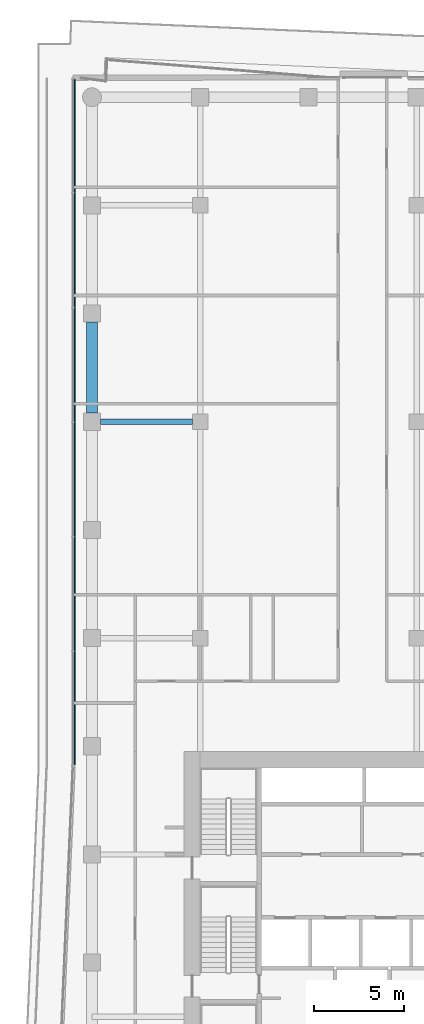
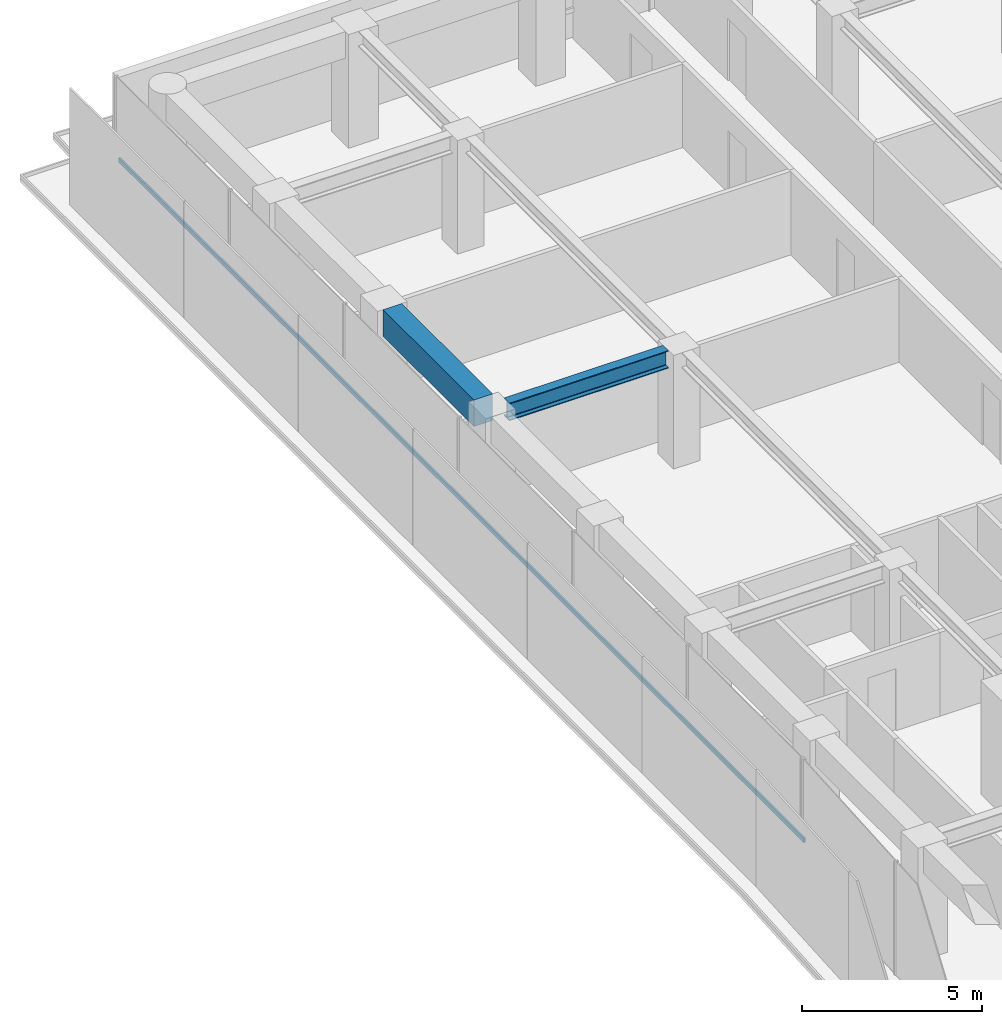
# One storey, part 15 of 29: 2 beams, 1 member, 1 element without a shape of its own.
"""IFC4 building model written with IfcOpenShell, lengths in metres."""

from ifc_helpers import new_model, si_unit, direction, frame, origin, origin_2d, place, context, subcontext, project, spatial, rectangle, i_section, extrude, material, layer, layer_set, material_profile, profile_set, type_object, element, aggregate, save


model = new_model("IFC4")

# Units and contexts
model_context = context("Model", 3, precision=1e-05, world=origin(), true_north=direction((0.0, 1.0)))
body_context = subcontext(model_context, "Body", "Model", "MODEL_VIEW")
ifc_project = project(units=[si_unit("LENGTHUNIT", "METRE"), si_unit("AREAUNIT", "SQUARE_METRE"), si_unit("VOLUMEUNIT", "CUBIC_METRE"), si_unit("PLANEANGLEUNIT", "RADIAN"), si_unit("MASSUNIT", "GRAM", prefix="KILO")], contexts=[model_context])

# Site, building, storey
site_placement = place(None, origin())
site = spatial("IfcSite", under=ifc_project, at=site_placement, CompositionType="ELEMENT")
building_placement = place(site_placement, origin())
building = spatial("IfcBuilding", under=site, at=building_placement, Name="Welwitschia Terrace Campus", CompositionType="ELEMENT")
storey_placement = place(building_placement, frame((0.0, 0.0, 41.60009765625)))
storey = spatial("IfcBuildingStorey", under=building, at=storey_placement, Name="L09", CompositionType="ELEMENT", Elevation=41.60009765625)

# Beams
ifc_material_1 = material(Name="Steel S355", Category="steel")
ifc_material_profile_1 = material_profile(ifc_material_1, i_section(OverallWidth=0.300048828125, OverallDepth=0.60009765625, WebThickness=0.015380859375, FlangeThickness=0.030029296875, FilletRadius=0.027099609375, at=origin_2d()))
ifc_profile_set_1 = profile_set([ifc_material_profile_1], Name="Steel S355")
beam_type_1 = type_object("IfcBeamType", Name="Primary beam HE 600 B", PredefinedType="BEAM", material=ifc_profile_set_1)
beam_1_placement = place(storey_placement, frame((0.4755859375, 44.0, 3.5498046875), z_axis=(1.0, 0.0, 0.0), x_axis=(0.0, 1.0, 0.0)))
element("IfcBeam", 1, at=beam_1_placement, inside=storey, type_object=beam_type_1, Name="Primary beam PB2", PredefinedType="BEAM", context=body_context, shape_type="SweptSolid", body=[
    extrude(i_section(OverallWidth=0.300048828125, OverallDepth=0.60009765625, WebThickness=0.015380859375, FlangeThickness=0.030029296875, FilletRadius=0.027099609375, at=origin_2d()), origin(), (0.0, 0.0, 1.0), 5.098876953125),
])
ifc_material_2 = material(Name="Concrete C60/75", Category="concrete")
ifc_material_profile_2 = material_profile(ifc_material_2, rectangle(XDim=0.60009765625, YDim=0.89990234375, at=origin_2d()))
ifc_profile_set_2 = profile_set([ifc_material_profile_2], Name="Concrete C60/75")
beam_type_2 = type_object("IfcBeamType", Name="Ring spandrel 600x900", PredefinedType="SPANDREL", material=ifc_profile_set_2)
beam_2_placement = place(storey_placement, frame((0.0, 49.5244140625, 3.39990234375), z_axis=(0.0, -1.0, 0.0), x_axis=(1.0, 0.0, 0.0)))
element("IfcBeam", 2, at=beam_2_placement, inside=storey, type_object=beam_type_2, Name="Spandrel SP2", PredefinedType="SPANDREL", context=body_context, shape_type="SweptSolid", body=[
    extrude(rectangle(XDim=0.60009765625, YDim=0.89990234375, at=origin_2d()), origin(), (0.0, 0.0, 1.0), 5.048828125),
])

# Curtain wall, member
ifc_material_3 = material(Name="Bronze anodised aluminium", Category="aluminium")
ifc_layer = layer(ifc_material_3, 0.1201171875)
ifc_layer_set = layer_set([ifc_layer], Name="Bronze anodised aluminium")
curtain_wall_type = type_object("IfcCurtainWallType", Name="Curtain wall CW2 tower 6000", PredefinedType="NOTDEFINED", material=ifc_layer_set)
curtain_wall_placement = place(storey_placement, origin())
curtain_wall = element("IfcCurtainWall", 3, at=curtain_wall_placement, inside=storey, type_object=curtain_wall_type, Name="CW L09.13.0", PredefinedType="NOTDEFINED")
ifc_material_4 = material(Name="Bronze anodised aluminium", Category="aluminium")
ifc_material_profile_3 = material_profile(ifc_material_4, rectangle(XDim=0.06005859375, YDim=0.14990234375, at=origin_2d()))
ifc_profile_set_3 = profile_set([ifc_material_profile_3], Name="Bronze anodised aluminium")
member_type = type_object("IfcMemberType", Name="Transom 60x150", PredefinedType="USERDEFINED", material=ifc_profile_set_3)
member_placement = place(storey_placement, frame((-0.968017578125, 62.994140625, 1.0), z_axis=(0.0, -1.0, 0.0), x_axis=(1.0, 0.0, 0.0)))
member = element("IfcMember", 4, at=member_placement, type_object=member_type, Name="Transom L09.13.0", ObjectType="TRANSOM", PredefinedType="USERDEFINED", context=body_context, shape_type="SweptSolid", body=[
    extrude(rectangle(XDim=0.06005859375, YDim=0.14990234375, at=origin_2d()), origin(), (0.0, 0.0, 1.0), 38.031005859375),
])
aggregate(curtain_wall, [member])

save(model, "model.ifc")
